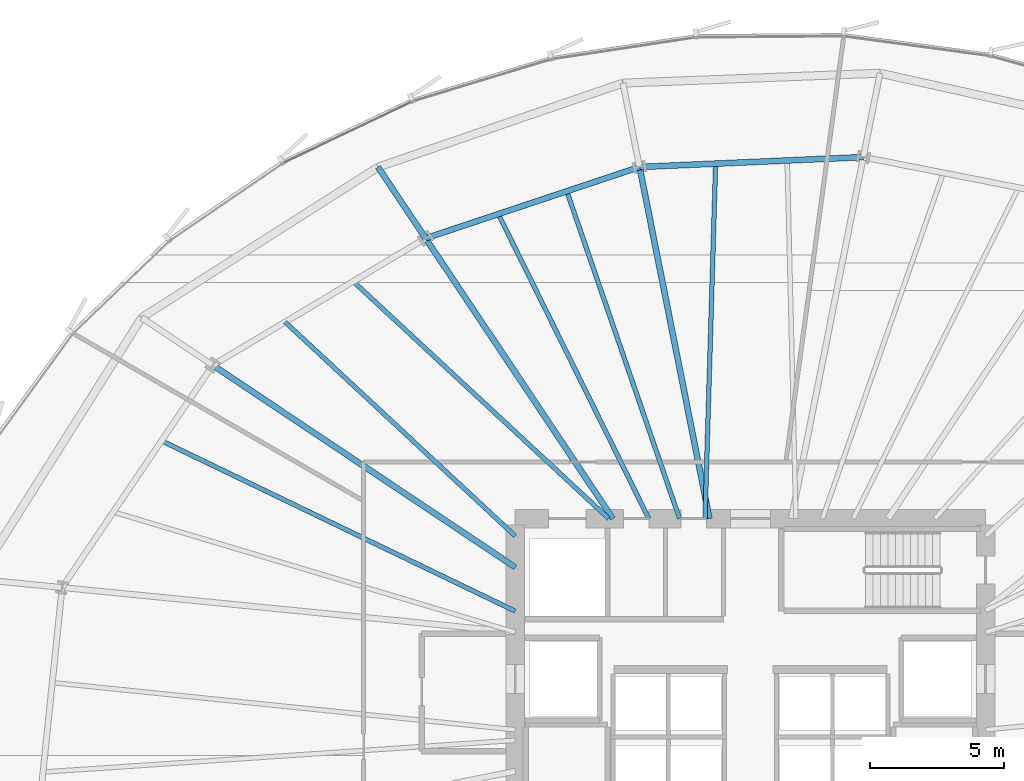
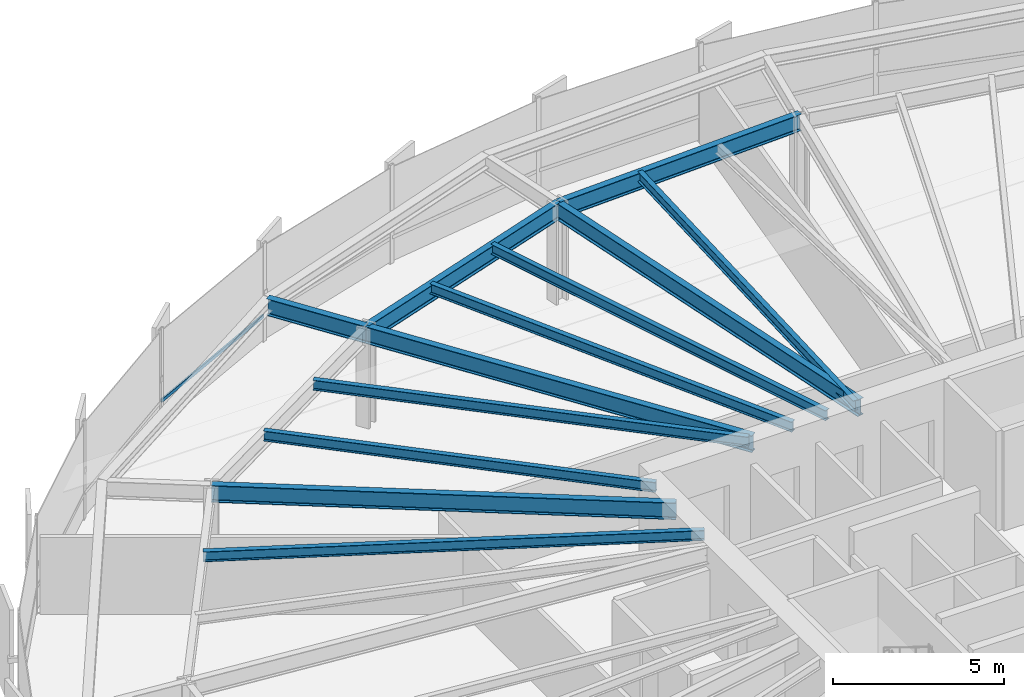
# One storey, part 20 of 37: 12 beams, 1 member, 1 element without a shape of its own.
"""IFC4 building model written with IfcOpenShell, lengths in metres."""

from ifc_helpers import new_model, si_unit, direction, frame, origin, origin_2d, place, context, subcontext, project, spatial, hollow_rectangle, i_section, extrude, source, transform, mapped, material, layer, layer_set, material_profile, profile_set, type_object, element, aggregate, save


model = new_model("IFC4")

# Units and contexts
model_context = context("Model", 3, precision=1e-05, world=origin(), true_north=direction((0.0, 1.0)))
body_context = subcontext(model_context, "Body", "Model", "MODEL_VIEW")
ifc_project = project(units=[si_unit("LENGTHUNIT", "METRE"), si_unit("AREAUNIT", "SQUARE_METRE"), si_unit("VOLUMEUNIT", "CUBIC_METRE"), si_unit("PLANEANGLEUNIT", "RADIAN"), si_unit("MASSUNIT", "GRAM", prefix="KILO"), si_unit("THERMODYNAMICTEMPERATUREUNIT", "KELVIN")], contexts=[model_context])

# Site, building, storey
site_placement = place(None, origin())
site = spatial("IfcSite", under=ifc_project, at=site_placement, CompositionType="ELEMENT")
building_placement = place(site_placement, origin())
building = spatial("IfcBuilding", under=site, at=building_placement, Name="Kethvar Cultural Tower", CompositionType="ELEMENT")
storey_placement = place(building_placement, frame((0.0, 0.0, 48.60009765625)))
storey = spatial("IfcBuildingStorey", under=building, at=storey_placement, Name="L11", CompositionType="ELEMENT", Elevation=48.60009765625)

# Beams
ifc_material_1 = material(Name="Steel S355J2", Category="steel")
ifc_material_profile_1 = material_profile(ifc_material_1, i_section(OverallWidth=0.219970703125, OverallDepth=0.60009765625, WebThickness=0.011962890625, FlangeThickness=0.01904296875, FilletRadius=0.02392578125, at=origin_2d()), Name="Steel S355J2 — IPE600")
ifc_profile_set_1 = profile_set([ifc_material_profile_1], Name="Steel S355J2 — IPE600")
beam_type_1 = type_object("IfcBeamType", Name="BM-IPE600", PredefinedType="BEAM", material=ifc_profile_set_1)
shared_shape_1 = source(origin(), body_context, "Body", "SweptSolid", [
    extrude(i_section(OverallWidth=0.219970703125, OverallDepth=0.60009765625, WebThickness=0.011962890625, FlangeThickness=0.01904296875, FilletRadius=0.02392578125, at=origin_2d()), origin(), (0.0, 0.0, 1.0), 3.199951171875),
])
beam_1_placement = place(storey_placement, frame((34.64599609375, 45.98974609375, 3.247802734375), z_axis=(-0.555580212716, 0.831462943996, 0.0), x_axis=(-0.831462943996, -0.555580212716, 0.0)))
element("IfcBeam", 1, at=beam_1_placement, inside=storey, type_object=beam_type_1, Name="L11 Perimeter Cantilever Beam RC-06", PredefinedType="BEAM", context=body_context, shape_type="MappedRepresentation", body=[
    mapped(shared_shape_1, transform((0.0, 0.0, 0.0), scale=1.0)),
])
shared_shape_2 = source(origin(), body_context, "Body", "SweptSolid", [
    extrude(i_section(OverallWidth=0.219970703125, OverallDepth=0.60009765625, WebThickness=0.011962890625, FlangeThickness=0.01904296875, FilletRadius=0.02392578125, at=origin_2d()), origin(), (0.0, 0.0, 1.0), 13.41357421875),
])
beam_2_placement = place(storey_placement, frame((45.268310546875, 35.5, 3.247802734375), z_axis=(-0.195079960025, 0.980787341474, 0.0), x_axis=(-0.980787341474, -0.195079960025, 0.0)))
element("IfcBeam", 2, at=beam_2_placement, inside=storey, type_object=beam_type_1, Name="L11 Primary Radial Beam RB-05", PredefinedType="BEAM", context=body_context, shape_type="MappedRepresentation", body=[
    mapped(shared_shape_2, transform((0.0, 0.0, 0.0), scale=1.0)),
])
shared_shape_3 = source(origin(), body_context, "Body", "SweptSolid", [
    extrude(i_section(OverallWidth=0.219970703125, OverallDepth=0.60009765625, WebThickness=0.011962890625, FlangeThickness=0.01904296875, FilletRadius=0.02392578125, at=origin_2d()), origin(), (0.0, 0.0, 1.0), 12.615966796875),
])
beam_3_placement = place(storey_placement, frame((41.655029296875, 35.5, 3.247802734375), z_axis=(-0.555570723257, 0.831469284736, 0.0), x_axis=(-0.831469284736, -0.555570723257, 0.0)))
element("IfcBeam", 3, at=beam_3_placement, inside=storey, type_object=beam_type_1, Name="L11 Primary Radial Beam RB-06", PredefinedType="BEAM", context=body_context, shape_type="MappedRepresentation", body=[
    mapped(shared_shape_3, transform((0.0, 0.0, 0.0), scale=1.0)),
])
shared_shape_4 = source(origin(), body_context, "Body", "SweptSolid", [
    extrude(i_section(OverallWidth=0.219970703125, OverallDepth=0.60009765625, WebThickness=0.011962890625, FlangeThickness=0.01904296875, FilletRadius=0.02392578125, at=origin_2d()), origin(), (0.0, 0.0, 1.0), 13.60888671875),
])
beam_4_placement = place(storey_placement, frame((38.0, 33.679931640625, 3.247802734375), z_axis=(-0.831467486755, 0.555573414113, 0.0), x_axis=(-0.555573414113, -0.831467486755, 0.0)))
element("IfcBeam", 4, at=beam_4_placement, inside=storey, type_object=beam_type_1, Name="L11 Primary Radial Beam RB-07", PredefinedType="BEAM", context=body_context, shape_type="MappedRepresentation", body=[
    mapped(shared_shape_4, transform((0.0, 0.0, 0.0), scale=1.0)),
])
shared_shape_5 = source(origin(), body_context, "Body", "SweptSolid", [
    extrude(i_section(OverallWidth=0.219970703125, OverallDepth=0.60009765625, WebThickness=0.011962890625, FlangeThickness=0.01904296875, FilletRadius=0.02392578125, at=origin_2d()), origin(), (0.0, 0.0, 1.0), 8.378662109375),
])
beam_5_placement = place(storey_placement, frame((51.022216796875, 49.02587890625, 3.247802734375), z_axis=(-0.999023890534, -0.04417313825, 0.0), x_axis=(0.04417313825, -0.999023890534, 0.0)))
element("IfcBeam", 5, at=beam_5_placement, inside=storey, type_object=beam_type_1, Name="L11 Column Ring Tie Beam CR-04", PredefinedType="BEAM", context=body_context, shape_type="MappedRepresentation", body=[
    mapped(shared_shape_5, transform((0.0, 0.0, 0.0), scale=1.0)),
])
ifc_material_profile_2 = material_profile(ifc_material_1, i_section(OverallWidth=0.169921875, OverallDepth=0.360107421875, WebThickness=0.008056640625, FlangeThickness=0.0126953125, FilletRadius=0.01806640625, at=origin_2d()), Name="Steel S355J2 — IPE360")
ifc_profile_set_2 = profile_set([ifc_material_profile_2], Name="Steel S355J2 — IPE360")
beam_type_2 = type_object("IfcBeamType", Name="BM-J360", PredefinedType="JOIST", material=ifc_profile_set_2)
shared_shape_6 = source(origin(), body_context, "Body", "SweptSolid", [
    extrude(i_section(OverallWidth=0.169921875, OverallDepth=0.360107421875, WebThickness=0.008056640625, FlangeThickness=0.0126953125, FilletRadius=0.01806640625, at=origin_2d()), origin(), (0.0, 0.0, 1.0), 13.287353515625),
])
beam_6_placement = place(storey_placement, frame((45.10009765625, 35.5, 3.367919921875), z_axis=(0.029912529234, 0.999552520178, 0.0), x_axis=(-0.999552520178, 0.029912529234, 0.0)))
element("IfcBeam", 6, at=beam_6_placement, inside=storey, type_object=beam_type_2, Name="L11 Composite Floor Joist J-04B", PredefinedType="JOIST", context=body_context, shape_type="MappedRepresentation", body=[
    mapped(shared_shape_6, transform((0.0, 0.0, 0.0), scale=1.0)),
])
shared_shape_7 = source(origin(), body_context, "Body", "SweptSolid", [
    extrude(i_section(OverallWidth=0.219970703125, OverallDepth=0.60009765625, WebThickness=0.011962890625, FlangeThickness=0.01904296875, FilletRadius=0.02392578125, at=origin_2d()), origin(), (0.0, 0.0, 1.0), 8.437744140625),
])
beam_7_placement = place(storey_placement, frame((42.651611328125, 48.65576171875, 3.247802734375), z_axis=(-0.948772955115, -0.315958667618, 0.0), x_axis=(0.315958667618, -0.948772955115, 0.0)))
element("IfcBeam", 7, at=beam_7_placement, inside=storey, type_object=beam_type_1, Name="L11 Column Ring Tie Beam CR-05", PredefinedType="BEAM", context=body_context, shape_type="MappedRepresentation", body=[
    mapped(shared_shape_7, transform((0.0, 0.0, 0.0), scale=1.0)),
])
shared_shape_8 = source(origin(), body_context, "Body", "SweptSolid", [
    extrude(i_section(OverallWidth=0.169921875, OverallDepth=0.360107421875, WebThickness=0.008056640625, FlangeThickness=0.0126953125, FilletRadius=0.01806640625, at=origin_2d()), origin(), (0.0, 0.0, 1.0), 12.955322265625),
])
beam_8_placement = place(storey_placement, frame((44.148193359375, 35.5, 3.367919921875), z_axis=(-0.325619549533, 0.945500877293, 0.0), x_axis=(-0.945500877293, -0.325619549533, 0.0)))
element("IfcBeam", 8, at=beam_8_placement, inside=storey, type_object=beam_type_2, Name="L11 Composite Floor Joist J-05A", PredefinedType="JOIST", context=body_context, shape_type="MappedRepresentation", body=[
    mapped(shared_shape_8, transform((0.0, 0.0, 0.0), scale=1.0)),
])
shared_shape_9 = source(origin(), body_context, "Body", "SweptSolid", [
    extrude(i_section(OverallWidth=0.169921875, OverallDepth=0.360107421875, WebThickness=0.008056640625, FlangeThickness=0.0126953125, FilletRadius=0.01806640625, at=origin_2d()), origin(), (0.0, 0.0, 1.0), 12.710693359375),
])
beam_9_placement = place(storey_placement, frame((42.996826171875, 35.5, 3.367919921875), z_axis=(-0.442851992051, 0.896594731825, 0.0), x_axis=(-0.896594731825, -0.442851992051, 0.0)))
element("IfcBeam", 9, at=beam_9_placement, inside=storey, type_object=beam_type_2, Name="L11 Composite Floor Joist J-05B", PredefinedType="JOIST", context=body_context, shape_type="MappedRepresentation", body=[
    mapped(shared_shape_9, transform((0.0, 0.0, 0.0), scale=1.0)),
])
shared_shape_10 = source(origin(), body_context, "Body", "SweptSolid", [
    extrude(i_section(OverallWidth=0.169921875, OverallDepth=0.360107421875, WebThickness=0.008056640625, FlangeThickness=0.0126953125, FilletRadius=0.01806640625, at=origin_2d()), origin(), (0.0, 0.0, 1.0), 13.045166015625),
])
beam_10_placement = place(storey_placement, frame((41.5, 35.5, 3.367919921875), z_axis=(-0.732903465528, 0.680332646737, 0.0), x_axis=(-0.680332646737, -0.732903465528, 0.0)))
element("IfcBeam", 10, at=beam_10_placement, inside=storey, type_object=beam_type_2, Name="L11 Composite Floor Joist J-06A", PredefinedType="JOIST", context=body_context, shape_type="MappedRepresentation", body=[
    mapped(shared_shape_10, transform((0.0, 0.0, 0.0), scale=1.0)),
])
shared_shape_11 = source(origin(), body_context, "Body", "SweptSolid", [
    extrude(i_section(OverallWidth=0.169921875, OverallDepth=0.360107421875, WebThickness=0.008056640625, FlangeThickness=0.0126953125, FilletRadius=0.01806640625, at=origin_2d()), origin(), (0.0, 0.0, 1.0), 11.75537109375),
])
beam_11_placement = place(storey_placement, frame((38.0, 34.85009765625, 3.367919921875), z_axis=(-0.732290300234, 0.680992596276, 0.0), x_axis=(-0.680992596276, -0.732290300234, 0.0)))
element("IfcBeam", 11, at=beam_11_placement, inside=storey, type_object=beam_type_2, Name="L11 Composite Floor Joist J-06B", PredefinedType="JOIST", context=body_context, shape_type="MappedRepresentation", body=[
    mapped(shared_shape_11, transform((0.0, 0.0, 0.0), scale=1.0)),
])
shared_shape_12 = source(origin(), body_context, "Body", "SweptSolid", [
    extrude(i_section(OverallWidth=0.169921875, OverallDepth=0.360107421875, WebThickness=0.008056640625, FlangeThickness=0.0126953125, FilletRadius=0.01806640625, at=origin_2d()), origin(), (0.0, 0.0, 1.0), 14.687255859375),
])
beam_12_placement = place(storey_placement, frame((38.0, 32.038818359375, 3.367919921875), z_axis=(-0.900928984091, 0.433966548971, 0.0), x_axis=(-0.433966548971, -0.900928984091, 0.0)))
element("IfcBeam", 12, at=beam_12_placement, inside=storey, type_object=beam_type_2, Name="L11 Composite Floor Joist J-07A", PredefinedType="JOIST", context=body_context, shape_type="MappedRepresentation", body=[
    mapped(shared_shape_12, transform((0.0, 0.0, 0.0), scale=1.0)),
])

# Curtain wall, member
ifc_material_2 = material(Name="Aluminium 6063-T6", Category="aluminium")
ifc_layer = layer(ifc_material_2, 0.179931640625, Name="Aluminium 6063-T6", Category="aluminium")
ifc_layer_set = layer_set([ifc_layer], Name="Aluminium 6063-T6 (180 mm)")
curtain_wall_type = type_object("IfcCurtainWallType", Name="CW-SYS-02-Z1", PredefinedType="NOTDEFINED", material=ifc_layer_set)
curtain_wall_placement = place(storey_placement, origin())
curtain_wall = element("IfcCurtainWall", 13, at=curtain_wall_placement, inside=storey, type_object=curtain_wall_type, Name="L11 Curtain Wall Run 02", PredefinedType="NOTDEFINED")
ifc_material_profile_3 = material_profile(ifc_material_2, hollow_rectangle(XDim=0.054931640625, YDim=0.1201171875, WallThickness=0.00390625, at=origin_2d()), Name="Aluminium 6063-T6 — RHS120x55x4")
ifc_profile_set_3 = profile_set([ifc_material_profile_3], Name="Aluminium 6063-T6 — RHS120x55x4")
member_type = type_object("IfcMemberType", Name="CW-SYS-02-Z1-TRN", PredefinedType="USERDEFINED", material=ifc_profile_set_3)
shared_shape_13 = source(origin(), body_context, "Body", "SweptSolid", [
    extrude(hollow_rectangle(XDim=0.054931640625, YDim=0.1201171875, WallThickness=0.00390625, at=origin_2d()), origin(), (0.0, 0.0, 1.0), 5.251220703125),
])
member_placement = place(storey_placement, frame((34.124267578125, 51.09228515625, 0.949951171875), z_axis=(-0.903175672945, -0.429271130871, 0.0), x_axis=(0.429271130871, -0.903175672945, 0.0)))
member = element("IfcMember", 14, at=member_placement, type_object=member_type, Name="CW-L11-R02 Transom 6", ObjectType="TRANSOM", PredefinedType="USERDEFINED", context=body_context, shape_type="MappedRepresentation", body=[
    mapped(shared_shape_13, transform((0.0, 0.0, 0.0), scale=1.0)),
])
aggregate(curtain_wall, [member])

save(model, "model.ifc")
